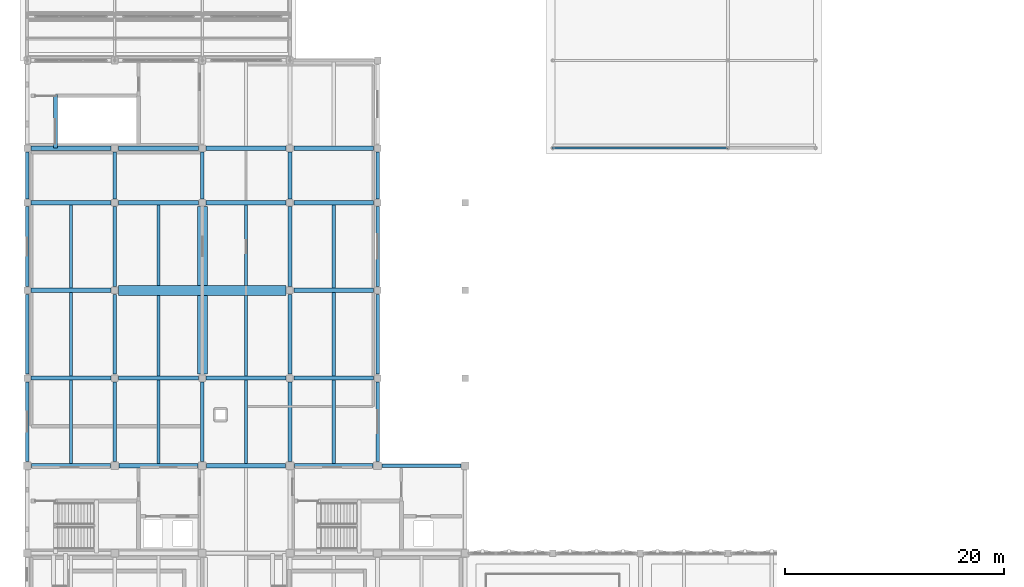
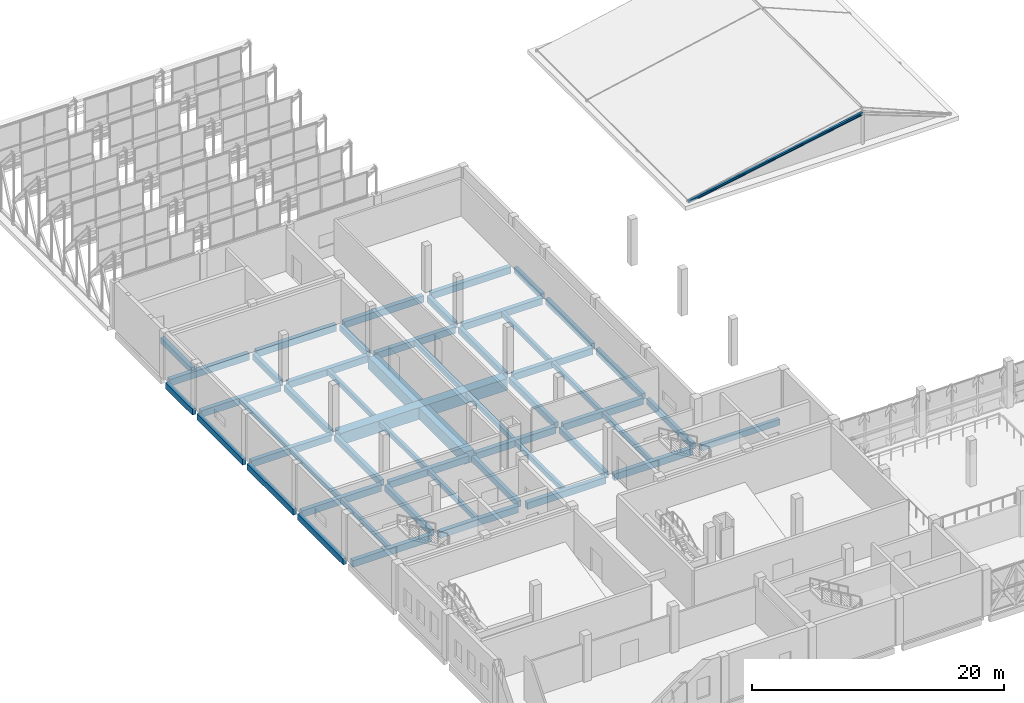
# One storey, part 14 of 43: 52 beams, 1 member.
"""IFC4 building model written with IfcOpenShell, lengths in metres."""

from ifc_helpers import new_model, si_unit, direction, frame, origin, origin_2d, place, context, subcontext, project, spatial, rectangle, i_section, extrude, material, material_profile, profile_set, type_object, element, save


model = new_model("IFC4")

# Units and contexts
model_context = context("Model", 3, precision=1e-05, world=origin(), true_north=direction((0.0, 1.0)))
body_context = subcontext(model_context, "Body", "Model", "MODEL_VIEW")
ifc_project = project(units=[si_unit("LENGTHUNIT", "METRE"), si_unit("AREAUNIT", "SQUARE_METRE"), si_unit("VOLUMEUNIT", "CUBIC_METRE"), si_unit("PLANEANGLEUNIT", "RADIAN"), si_unit("MASSUNIT", "GRAM", prefix="KILO")], contexts=[model_context])

# Site, building, storey
site_placement = place(None, origin())
site = spatial("IfcSite", under=ifc_project, at=site_placement, CompositionType="ELEMENT")
building_placement = place(site_placement, origin())
building = spatial("IfcBuilding", under=site, at=building_placement, Name="Qorikala Patio Media Centre", CompositionType="ELEMENT")
storey_placement = place(building_placement, frame((0.0, 0.0, 18.89990234375)))
storey = spatial("IfcBuildingStorey", under=building, at=storey_placement, Name="L04", CompositionType="ELEMENT", Elevation=18.89990234375)

# Beams
ifc_material_1 = material(Name="Concrete C35/45", Category="concrete")
ifc_material_profile_1 = material_profile(ifc_material_1, rectangle(XDim=0.35009765625, YDim=0.60009765625, at=origin_2d()), Name="RC 350x600")
ifc_profile_set_1 = profile_set([ifc_material_profile_1], Name="Concrete C35/45")
beam_type_1 = type_object("IfcBeamType", Name="BM-G350X600", PredefinedType="BEAM", material=ifc_profile_set_1)
beam_1_placement = place(storey_placement, frame((11.0, 35.39990234375, -0.599853515625), z_axis=(0.0, 1.0, 0.0), x_axis=(-1.0, 0.0, 0.0)))
element("IfcBeam", 1, at=beam_1_placement, inside=storey, type_object=beam_type_1, Name="L04 Grid X=11 Beam 1397", PredefinedType="BEAM", context=body_context, shape_type="SweptSolid", body=[
    extrude(rectangle(XDim=0.35009765625, YDim=0.60009765625, at=origin_2d()), origin(), (0.0, 0.0, 1.0), 7.25),
])
for number, where, z_axis, x_axis, name in (
    (2, (11.0, 43.35009765625, -0.599853515625), (0.0, 1.0, 0.0), (-1.0, 0.0, 0.0), "L04 Grid X=11 Beam 1398"),
    (3, (11.0, 51.35009765625, -0.599853515625), (0.0, 1.0, 0.0), (-1.0, 0.0, 0.0), "L04 Grid X=11 Beam 1399"),
):
    element("IfcBeam", number, at=place(storey_placement, frame(where, z_axis=z_axis, x_axis=x_axis)), inside=storey, type_object=beam_type_1, Name=name, PredefinedType="BEAM", context=body_context, shape_type="SweptSolid", body=[
        extrude(rectangle(XDim=0.35009765625, YDim=0.60009765625, at=origin_2d()), origin(), (0.0, 0.0, 1.0), 7.2998046875),
    ])
beam_2_placement = place(storey_placement, frame((11.0, 59.35009765625, -0.599853515625), z_axis=(0.0, 1.0, 0.0), x_axis=(-1.0, 0.0, 0.0)))
element("IfcBeam", 4, at=beam_2_placement, inside=storey, type_object=beam_type_1, Name="L04 Grid X=11 Beam 1400", PredefinedType="BEAM", context=body_context, shape_type="SweptSolid", body=[
    extrude(rectangle(XDim=0.35009765625, YDim=0.60009765625, at=origin_2d()), origin(), (0.0, 0.0, 1.0), 4.2998046875),
])
beam_3_placement = place(storey_placement, frame((19.0, 35.39990234375, -0.599853515625), z_axis=(0.0, 1.0, 0.0), x_axis=(-1.0, 0.0, 0.0)))
element("IfcBeam", 5, at=beam_3_placement, inside=storey, type_object=beam_type_1, Name="L04 Grid X=19 Beam 1404", PredefinedType="BEAM", context=body_context, shape_type="SweptSolid", body=[
    extrude(rectangle(XDim=0.35009765625, YDim=0.60009765625, at=origin_2d()), origin(), (0.0, 0.0, 1.0), 7.25),
])
beam_4_placement = place(storey_placement, frame((19.0, 59.35009765625, -0.599853515625), z_axis=(0.0, 1.0, 0.0), x_axis=(-1.0, 0.0, 0.0)))
element("IfcBeam", 6, at=beam_4_placement, inside=storey, type_object=beam_type_1, Name="L04 Grid X=19 Beam 1406", PredefinedType="BEAM", context=body_context, shape_type="SweptSolid", body=[
    extrude(rectangle(XDim=0.35009765625, YDim=0.60009765625, at=origin_2d()), origin(), (0.0, 0.0, 1.0), 4.2998046875),
])
beam_5_placement = place(storey_placement, frame((27.0, 35.39990234375, -0.599853515625), z_axis=(0.0, 1.0, 0.0), x_axis=(-1.0, 0.0, 0.0)))
element("IfcBeam", 7, at=beam_5_placement, inside=storey, type_object=beam_type_1, Name="L04 Grid X=27 Beam 1412", PredefinedType="BEAM", context=body_context, shape_type="SweptSolid", body=[
    extrude(rectangle(XDim=0.35009765625, YDim=0.60009765625, at=origin_2d()), origin(), (0.0, 0.0, 1.0), 7.25),
])
for number, where, z_axis, x_axis, name in (
    (8, (27.0, 43.35009765625, -0.599853515625), (0.0, 1.0, 0.0), (-1.0, 0.0, 0.0), "L04 Grid X=27 Beam 1413"),
    (9, (27.0, 51.35009765625, -0.599853515625), (0.0, 1.0, 0.0), (-1.0, 0.0, 0.0), "L04 Grid X=27 Beam 1414"),
):
    element("IfcBeam", number, at=place(storey_placement, frame(where, z_axis=z_axis, x_axis=x_axis)), inside=storey, type_object=beam_type_1, Name=name, PredefinedType="BEAM", context=body_context, shape_type="SweptSolid", body=[
        extrude(rectangle(XDim=0.35009765625, YDim=0.60009765625, at=origin_2d()), origin(), (0.0, 0.0, 1.0), 7.2998046875),
    ])
beam_6_placement = place(storey_placement, frame((27.0, 59.35009765625, -0.599853515625), z_axis=(0.0, 1.0, 0.0), x_axis=(-1.0, 0.0, 0.0)))
element("IfcBeam", 10, at=beam_6_placement, inside=storey, type_object=beam_type_1, Name="L04 Grid X=27 Beam 1415", PredefinedType="BEAM", context=body_context, shape_type="SweptSolid", body=[
    extrude(rectangle(XDim=0.35009765625, YDim=0.60009765625, at=origin_2d()), origin(), (0.0, 0.0, 1.0), 4.2998046875),
])
beam_7_placement = place(storey_placement, frame((5.60009765625, 64.0, -0.2998046875), z_axis=(0.0, 1.0, 0.0), x_axis=(-1.0, 0.0, 0.0)))
element("IfcBeam", 11, at=beam_7_placement, inside=storey, type_object=beam_type_1, Name="L04 ST-3 Well Trimmer Beam", PredefinedType="BEAM", context=body_context, shape_type="SweptSolid", body=[
    extrude(rectangle(XDim=0.35009765625, YDim=0.60009765625, at=origin_2d()), origin(), (0.0, 0.0, 1.0), 4.8798828125),
])
ifc_material_profile_2 = material_profile(ifc_material_1, rectangle(XDim=0.39990234375, YDim=0.64990234375, at=origin_2d()), Name="RC 400x650")
ifc_profile_set_2 = profile_set([ifc_material_profile_2], Name="Concrete C35/45")
beam_type_2 = type_object("IfcBeamType", Name="BM-G400X650", PredefinedType="BEAM", material=ifc_profile_set_2)
for number, where, z_axis, x_axis, name in (
    (12, (3.39990234375, 35.0, -0.625), (1.0, 0.0, 0.0), (0.0, 1.0, 0.0), "L04 Grid 35 Beam 1361"),
    (13, (11.39990234375, 35.0, -0.625), (1.0, 0.0, 0.0), (0.0, 1.0, 0.0), "L04 Grid 35 Beam 1362"),
    (14, (19.39990234375, 35.0, -0.625), (1.0, 0.0, 0.0), (0.0, 1.0, 0.0), "L04 Grid 35 Beam 1363"),
    (15, (27.39990234375, 35.0, -0.625), (1.0, 0.0, 0.0), (0.0, 1.0, 0.0), "L04 Grid 35 Beam 1364"),
):
    element("IfcBeam", number, at=place(storey_placement, frame(where, z_axis=z_axis, x_axis=x_axis)), inside=storey, type_object=beam_type_2, Name=name, PredefinedType="BEAM", context=body_context, shape_type="SweptSolid", body=[
        extrude(rectangle(XDim=0.39990234375, YDim=0.64990234375, at=origin_2d()), origin(), (0.0, 0.0, 1.0), 7.2001953125),
    ])
for number, where, z_axis, x_axis, name in (
    (16, (3.35009765625, 43.0, -0.625), (1.0, 0.0, 0.0), (0.0, 1.0, 0.0), "L04 Grid 43 Beam 1366"),
    (17, (11.35009765625, 43.0, -0.625), (1.0, 0.0, 0.0), (0.0, 1.0, 0.0), "L04 Grid 43 Beam 1367"),
    (18, (19.35009765625, 43.0, -0.625), (1.0, 0.0, 0.0), (0.0, 1.0, 0.0), "L04 Grid 43 Beam 1368"),
    (19, (27.35009765625, 43.0, -0.625), (1.0, 0.0, 0.0), (0.0, 1.0, 0.0), "L04 Grid 43 Beam 1369"),
    (20, (3.35009765625, 51.0, -0.625), (1.0, 0.0, 0.0), (0.0, 1.0, 0.0), "L04 Grid 51 Beam 1370"),
    (21, (27.35009765625, 51.0, -0.625), (1.0, 0.0, 0.0), (0.0, 1.0, 0.0), "L04 Grid 51 Beam 1372"),
    (22, (3.35009765625, 59.0, -0.625), (1.0, 0.0, 0.0), (0.0, 1.0, 0.0), "L04 Grid 59 Beam 1373"),
    (23, (11.35009765625, 59.0, -0.625), (1.0, 0.0, 0.0), (0.0, 1.0, 0.0), "L04 Grid 59 Beam 1374"),
    (24, (19.35009765625, 59.0, -0.625), (1.0, 0.0, 0.0), (0.0, 1.0, 0.0), "L04 Grid 59 Beam 1375"),
    (25, (27.35009765625, 59.0, -0.625), (1.0, 0.0, 0.0), (0.0, 1.0, 0.0), "L04 Grid 59 Beam 1376"),
    (26, (3.35009765625, 64.0, -0.625), (1.0, 0.0, 0.0), (0.0, 1.0, 0.0), "L04 Grid 64 Beam 1377"),
    (27, (11.35009765625, 64.0, -0.625), (1.0, 0.0, 0.0), (0.0, 1.0, 0.0), "L04 Grid 64 Beam 1378"),
    (28, (19.35009765625, 64.0, -0.625), (1.0, 0.0, 0.0), (0.0, 1.0, 0.0), "L04 Grid 64 Beam 1379"),
    (29, (27.35009765625, 64.0, -0.625), (1.0, 0.0, 0.0), (0.0, 1.0, 0.0), "L04 Grid 64 Beam 1380"),
):
    element("IfcBeam", number, at=place(storey_placement, frame(where, z_axis=z_axis, x_axis=x_axis)), inside=storey, type_object=beam_type_2, Name=name, PredefinedType="BEAM", context=body_context, shape_type="SweptSolid", body=[
        extrude(rectangle(XDim=0.39990234375, YDim=0.64990234375, at=origin_2d()), origin(), (0.0, 0.0, 1.0), 7.2998046875),
    ])
ifc_material_profile_3 = material_profile(ifc_material_1, rectangle(XDim=0.89990234375, YDim=1.14990234375, at=origin_2d()), Name="RC 900x1150")
ifc_profile_set_3 = profile_set([ifc_material_profile_3], Name="Concrete C35/45")
beam_type_3 = type_object("IfcBeamType", Name="BM-TR900X1150", PredefinedType="BEAM", material=ifc_profile_set_3)
for number, where, z_axis, x_axis, name in (
    (30, (11.35009765625, 51.0, -0.875), (1.0, 0.0, 0.0), (0.0, 1.0, 0.0), "L04 Grid 51 Beam 1371"),
    (31, (19.0, 43.35009765625, -0.875), (0.0, 1.0, 0.0), (-1.0, 0.0, 0.0), "L04 Grid X=19 Transfer Girder 1405"),
):
    element("IfcBeam", number, at=place(storey_placement, frame(where, z_axis=z_axis, x_axis=x_axis)), inside=storey, type_object=beam_type_3, Name=name, PredefinedType="BEAM", context=body_context, shape_type="SweptSolid", body=[
        extrude(rectangle(XDim=0.89990234375, YDim=1.14990234375, at=origin_2d()), origin(), (0.0, 0.0, 1.0), 15.2998046875),
    ])
ifc_material_profile_4 = material_profile(ifc_material_1, rectangle(XDim=0.280029296875, YDim=0.47998046875, at=origin_2d()), Name="RC 280x480")
ifc_profile_set_4 = profile_set([ifc_material_profile_4], Name="Concrete C35/45")
beam_type_4 = type_object("IfcBeamType", Name="JS-280X480", PredefinedType="JOIST", material=ifc_profile_set_4)
for number, where, z_axis, x_axis, name in (
    (32, (7.0, 35.199951171875, -0.539794921875), (0.0, 1.0, 0.0), (-1.0, 0.0, 0.0), "L04 Secondary Joist 1446"),
    (33, (7.0, 43.199951171875, -0.539794921875), (0.0, 1.0, 0.0), (-1.0, 0.0, 0.0), "L04 Secondary Joist 1447"),
    (34, (7.0, 51.199951171875, -0.539794921875), (0.0, 1.0, 0.0), (-1.0, 0.0, 0.0), "L04 Secondary Joist 1448"),
    (35, (15.0, 35.199951171875, -0.539794921875), (0.0, 1.0, 0.0), (-1.0, 0.0, 0.0), "L04 Secondary Joist 1452"),
):
    element("IfcBeam", number, at=place(storey_placement, frame(where, z_axis=z_axis, x_axis=x_axis)), inside=storey, type_object=beam_type_4, Name=name, PredefinedType="JOIST", context=body_context, shape_type="SweptSolid", body=[
        extrude(rectangle(XDim=0.280029296875, YDim=0.47998046875, at=origin_2d()), origin(), (0.0, 0.0, 1.0), 7.60009765625),
    ])
for number, where, z_axis, x_axis, name in (
    (36, (15.0, 43.199951171875, -0.539794921875), (0.0, 1.0, 0.0), (-1.0, 0.0, 0.0), "L04 Secondary Joist 1453"),
    (37, (15.0, 51.449951171875, -0.539794921875), (0.0, 1.0, 0.0), (-1.0, 0.0, 0.0), "L04 Secondary Joist 1454"),
):
    element("IfcBeam", number, at=place(storey_placement, frame(where, z_axis=z_axis, x_axis=x_axis)), inside=storey, type_object=beam_type_4, Name=name, PredefinedType="JOIST", context=body_context, shape_type="SweptSolid", body=[
        extrude(rectangle(XDim=0.280029296875, YDim=0.47998046875, at=origin_2d()), origin(), (0.0, 0.0, 1.0), 7.35009765625),
    ])
beam_8_placement = place(storey_placement, frame((23.0, 35.199951171875, -0.539794921875), z_axis=(0.0, 1.0, 0.0), x_axis=(-1.0, 0.0, 0.0)))
element("IfcBeam", 38, at=beam_8_placement, inside=storey, type_object=beam_type_4, Name="L04 Secondary Joist 1459", PredefinedType="JOIST", context=body_context, shape_type="SweptSolid", body=[
    extrude(rectangle(XDim=0.280029296875, YDim=0.47998046875, at=origin_2d()), origin(), (0.0, 0.0, 1.0), 7.60009765625),
])
for number, where, z_axis, x_axis, name in (
    (39, (23.0, 43.199951171875, -0.539794921875), (0.0, 1.0, 0.0), (-1.0, 0.0, 0.0), "L04 Secondary Joist 1460"),
    (40, (23.0, 51.449951171875, -0.539794921875), (0.0, 1.0, 0.0), (-1.0, 0.0, 0.0), "L04 Secondary Joist 1461"),
):
    element("IfcBeam", number, at=place(storey_placement, frame(where, z_axis=z_axis, x_axis=x_axis)), inside=storey, type_object=beam_type_4, Name=name, PredefinedType="JOIST", context=body_context, shape_type="SweptSolid", body=[
        extrude(rectangle(XDim=0.280029296875, YDim=0.47998046875, at=origin_2d()), origin(), (0.0, 0.0, 1.0), 7.35009765625),
    ])
for number, where, z_axis, x_axis, name in (
    (41, (31.0, 35.199951171875, -0.539794921875), (0.0, 1.0, 0.0), (-1.0, 0.0, 0.0), "L04 Secondary Joist 1465"),
    (42, (31.0, 43.199951171875, -0.539794921875), (0.0, 1.0, 0.0), (-1.0, 0.0, 0.0), "L04 Secondary Joist 1466"),
    (43, (31.0, 51.199951171875, -0.539794921875), (0.0, 1.0, 0.0), (-1.0, 0.0, 0.0), "L04 Secondary Joist 1467"),
):
    element("IfcBeam", number, at=place(storey_placement, frame(where, z_axis=z_axis, x_axis=x_axis)), inside=storey, type_object=beam_type_4, Name=name, PredefinedType="JOIST", context=body_context, shape_type="SweptSolid", body=[
        extrude(rectangle(XDim=0.280029296875, YDim=0.47998046875, at=origin_2d()), origin(), (0.0, 0.0, 1.0), 7.60009765625),
    ])

# Member
ifc_material_2 = material(Name="Steel S355", Category="steel")
ifc_material_profile_5 = material_profile(ifc_material_2, i_section(OverallWidth=0.202880859375, OverallDepth=0.251953125, WebThickness=0.008056640625, FlangeThickness=0.013427734375, at=origin_2d()), Name="W250X58")
ifc_profile_set_5 = profile_set([ifc_material_profile_5], Name="Steel S355")
member_type = type_object("IfcMemberType", Name="RAFTER-W250X58", PredefinedType="RAFTER", material=ifc_profile_set_5)
member_placement = place(storey_placement, frame((51.0, 64.0, 0.150146484375), z_axis=(0.982872186934, 0.0, 0.18428853505), x_axis=(0.0, 1.0, 0.0)))
element("IfcMember", 44, at=member_placement, inside=storey, type_object=member_type, Name="RF-V5A W Steel Rafter Y=64", PredefinedType="RAFTER", context=body_context, shape_type="SweptSolid", body=[
    extrude(i_section(OverallWidth=0.202880859375, OverallDepth=0.251953125, WebThickness=0.008056640625, FlangeThickness=0.013427734375, at=origin_2d()), origin(), (0.0, 0.0, 1.0), 16.27880859375),
])

# Beams
ifc_material_profile_6 = material_profile(ifc_material_1, rectangle(XDim=0.320068359375, YDim=0.580078125, at=origin_2d()), Name="RC 320x580")
ifc_profile_set_6 = profile_set([ifc_material_profile_6], Name="Concrete C35/45")
beam_type_5 = type_object("IfcBeamType", Name="SP-320X580", PredefinedType="SPANDREL", material=ifc_profile_set_6)
beam_9_placement = place(storey_placement, frame((35.39990234375, 35.0, -0.58984375), z_axis=(1.0, 0.0, 0.0), x_axis=(0.0, 1.0, 0.0)))
element("IfcBeam", 45, at=beam_9_placement, inside=storey, type_object=beam_type_5, Name="L04 Grid 35 Beam 1365", PredefinedType="SPANDREL", context=body_context, shape_type="SweptSolid", body=[
    extrude(rectangle(XDim=0.320068359375, YDim=0.580078125, at=origin_2d()), origin(), (0.0, 0.0, 1.0), 7.2001953125),
])
beam_10_placement = place(storey_placement, frame((3.0, 35.39990234375, -0.58984375), z_axis=(0.0, 1.0, 0.0), x_axis=(-1.0, 0.0, 0.0)))
element("IfcBeam", 46, at=beam_10_placement, inside=storey, type_object=beam_type_5, Name="L04 Grid X=3 Beam 1389", PredefinedType="SPANDREL", context=body_context, shape_type="SweptSolid", body=[
    extrude(rectangle(XDim=0.320068359375, YDim=0.580078125, at=origin_2d()), origin(), (0.0, 0.0, 1.0), 7.25),
])
for number, where, z_axis, x_axis, name in (
    (47, (3.0, 43.35009765625, -0.58984375), (0.0, 1.0, 0.0), (-1.0, 0.0, 0.0), "L04 Grid X=3 Beam 1390"),
    (48, (3.0, 51.35009765625, -0.58984375), (0.0, 1.0, 0.0), (-1.0, 0.0, 0.0), "L04 Grid X=3 Beam 1391"),
):
    element("IfcBeam", number, at=place(storey_placement, frame(where, z_axis=z_axis, x_axis=x_axis)), inside=storey, type_object=beam_type_5, Name=name, PredefinedType="SPANDREL", context=body_context, shape_type="SweptSolid", body=[
        extrude(rectangle(XDim=0.320068359375, YDim=0.580078125, at=origin_2d()), origin(), (0.0, 0.0, 1.0), 7.2998046875),
    ])
beam_11_placement = place(storey_placement, frame((3.0, 59.35009765625, -0.58984375), z_axis=(0.0, 1.0, 0.0), x_axis=(-1.0, 0.0, 0.0)))
element("IfcBeam", 49, at=beam_11_placement, inside=storey, type_object=beam_type_5, Name="L04 Grid X=3 Beam 1392", PredefinedType="SPANDREL", context=body_context, shape_type="SweptSolid", body=[
    extrude(rectangle(XDim=0.320068359375, YDim=0.580078125, at=origin_2d()), origin(), (0.0, 0.0, 1.0), 4.2998046875),
])
beam_12_placement = place(storey_placement, frame((35.0, 35.39990234375, -0.58984375), z_axis=(0.0, 1.0, 0.0), x_axis=(-1.0, 0.0, 0.0)))
element("IfcBeam", 50, at=beam_12_placement, inside=storey, type_object=beam_type_5, Name="L04 Grid X=35 Beam 1419", PredefinedType="SPANDREL", context=body_context, shape_type="SweptSolid", body=[
    extrude(rectangle(XDim=0.320068359375, YDim=0.580078125, at=origin_2d()), origin(), (0.0, 0.0, 1.0), 7.25),
])
for number, where, z_axis, x_axis, name in (
    (51, (35.0, 43.35009765625, -0.58984375), (0.0, 1.0, 0.0), (-1.0, 0.0, 0.0), "L04 Grid X=35 Beam 1420"),
    (52, (35.0, 51.35009765625, -0.58984375), (0.0, 1.0, 0.0), (-1.0, 0.0, 0.0), "L04 Grid X=35 Beam 1421"),
):
    element("IfcBeam", number, at=place(storey_placement, frame(where, z_axis=z_axis, x_axis=x_axis)), inside=storey, type_object=beam_type_5, Name=name, PredefinedType="SPANDREL", context=body_context, shape_type="SweptSolid", body=[
        extrude(rectangle(XDim=0.320068359375, YDim=0.580078125, at=origin_2d()), origin(), (0.0, 0.0, 1.0), 7.2998046875),
    ])
beam_13_placement = place(storey_placement, frame((35.0, 59.35009765625, -0.58984375), z_axis=(0.0, 1.0, 0.0), x_axis=(-1.0, 0.0, 0.0)))
element("IfcBeam", 53, at=beam_13_placement, inside=storey, type_object=beam_type_5, Name="L04 Grid X=35 Beam 1422", PredefinedType="SPANDREL", context=body_context, shape_type="SweptSolid", body=[
    extrude(rectangle(XDim=0.320068359375, YDim=0.580078125, at=origin_2d()), origin(), (0.0, 0.0, 1.0), 4.2998046875),
])

save(model, "model.ifc")
